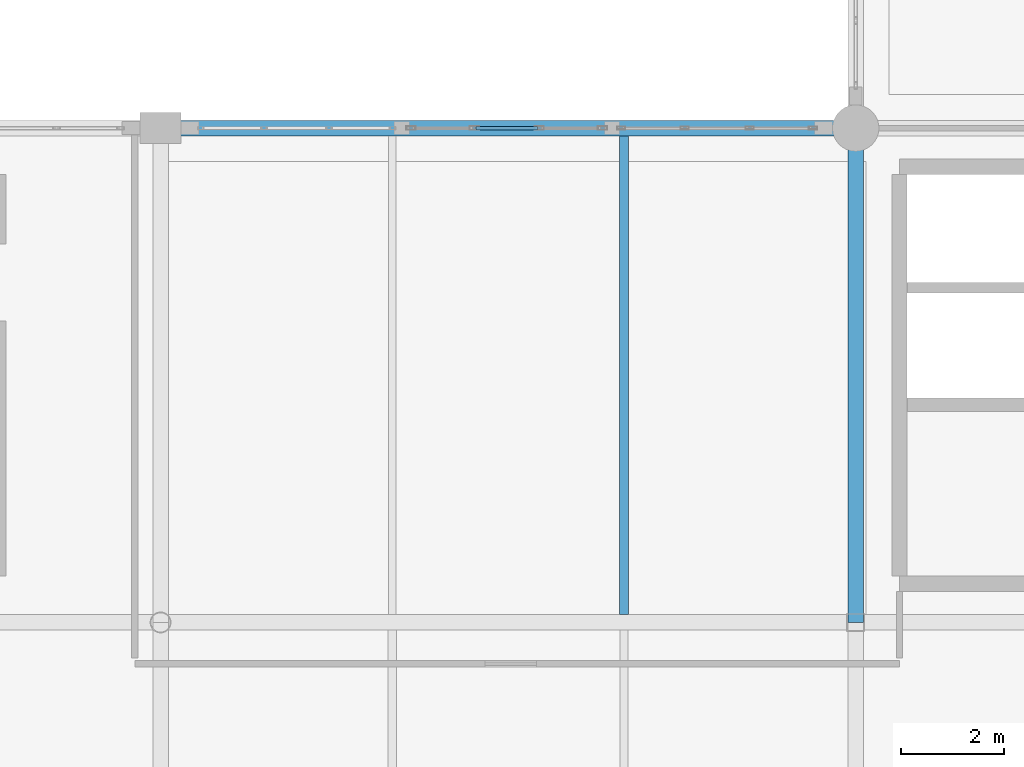
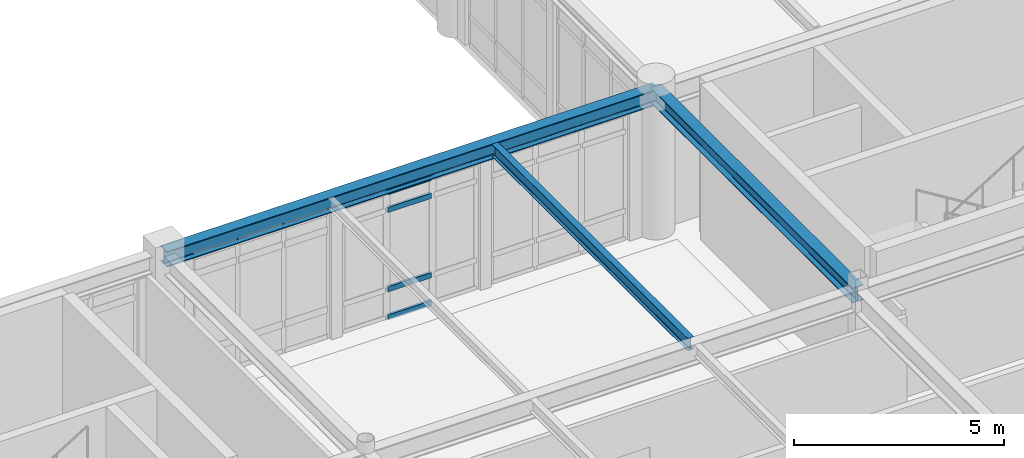
# One storey, part 10 of 61: 4 members, 3 beams, 1 element without a shape of its own.
"""IFC4 building model written with IfcOpenShell, lengths in metres."""

from ifc_helpers import new_model, si_unit, direction, frame, origin, origin_2d, place, context, subcontext, project, spatial, hollow_rectangle, i_section, extrude, material, layer, layer_set, material_profile, profile_set, type_object, element, aggregate, save


model = new_model("IFC4")

# Units and contexts
model_context = context("Model", 3, precision=1e-05, world=origin(), true_north=direction((0.0, 1.0)))
body_context = subcontext(model_context, "Body", "Model", "MODEL_VIEW")
ifc_project = project(units=[si_unit("LENGTHUNIT", "METRE"), si_unit("AREAUNIT", "SQUARE_METRE"), si_unit("VOLUMEUNIT", "CUBIC_METRE"), si_unit("PLANEANGLEUNIT", "RADIAN"), si_unit("MASSUNIT", "GRAM", prefix="KILO")], contexts=[model_context])

# Site, building, storey
site_placement = place(None, origin())
site = spatial("IfcSite", under=ifc_project, at=site_placement, CompositionType="ELEMENT")
building_placement = place(site_placement, origin())
building = spatial("IfcBuilding", under=site, at=building_placement, Name="Fikremerkos Civic Library", CompositionType="ELEMENT")
storey_placement = place(building_placement, frame((0.0, 0.0, 14.39990234375)))
storey = spatial("IfcBuildingStorey", under=building, at=storey_placement, Name="L03", CompositionType="ELEMENT", Elevation=14.39990234375)

# Curtain wall, members
ifc_material_1 = material(Name="Anodized aluminium Frame", Category="aluminium")
ifc_layer = layer(ifc_material_1, 0.159912109375, Name="Anodized aluminium Frame")
ifc_layer_set = layer_set([ifc_layer], Name="Anodized aluminium Frame")
curtain_wall_type = type_object("IfcCurtainWallType", Name="Unitised curtain wall CW-09 3600x3400", PredefinedType="USERDEFINED", material=ifc_layer_set)
curtain_wall_placement = place(storey_placement, origin())
curtain_wall = element("IfcCurtainWall", 1, at=curtain_wall_placement, inside=storey, type_object=curtain_wall_type, Name="Unitised curtain wall CW-09 L03 #189", ObjectType="UNITISED CURTAIN WALL", PredefinedType="USERDEFINED")
ifc_material_profile_1 = material_profile(ifc_material_1, hollow_rectangle(XDim=0.070068359375, YDim=0.14990234375, WallThickness=0.00439453125, at=origin_2d()), Name="ALU 150x70x4.5")
ifc_profile_set_1 = profile_set([ifc_material_profile_1], Name="Anodized aluminium Frame")
member_type = type_object("IfcMemberType", Name="Curtain transom CWT-01 ALU 150x70x4.5", PredefinedType="USERDEFINED", material=ifc_profile_set_1)
member_1_placement = place(storey_placement, frame((38.82666015625, 31.199951171875, 0.03515625), z_axis=(1.0, 0.0, 0.0), x_axis=(0.0, 1.0, 0.0)))
member_1 = element("IfcMember", 2, at=member_1_placement, type_object=member_type, Name="CW-09 transom 2.1", ObjectType="TRANSOM", PredefinedType="USERDEFINED", context=body_context, shape_type="SweptSolid", body=[
    extrude(hollow_rectangle(XDim=0.070068359375, YDim=0.14990234375, WallThickness=0.00439453125, at=origin_2d()), origin(), (0.0, 0.0, 1.0), 1.196533203125),
])
member_2_placement = place(storey_placement, frame((38.82666015625, 31.199951171875, 0.85009765625), z_axis=(1.0, 0.0, 0.0), x_axis=(0.0, 1.0, 0.0)))
member_2 = element("IfcMember", 3, at=member_2_placement, type_object=member_type, Name="CW-09 transom 2.2", ObjectType="TRANSOM", PredefinedType="USERDEFINED", context=body_context, shape_type="SweptSolid", body=[
    extrude(hollow_rectangle(XDim=0.070068359375, YDim=0.14990234375, WallThickness=0.00439453125, at=origin_2d()), origin(), (0.0, 0.0, 1.0), 1.196533203125),
])
member_3_placement = place(storey_placement, frame((38.82666015625, 31.199951171875, 3.150146484375), z_axis=(1.0, 0.0, 0.0), x_axis=(0.0, 1.0, 0.0)))
member_3 = element("IfcMember", 4, at=member_3_placement, type_object=member_type, Name="CW-09 transom 2.3", ObjectType="TRANSOM", PredefinedType="USERDEFINED", context=body_context, shape_type="SweptSolid", body=[
    extrude(hollow_rectangle(XDim=0.070068359375, YDim=0.14990234375, WallThickness=0.00439453125, at=origin_2d()), origin(), (0.0, 0.0, 1.0), 1.196533203125),
])
member_4_placement = place(storey_placement, frame((38.82666015625, 31.199951171875, 3.6650390625), z_axis=(1.0, 0.0, 0.0), x_axis=(0.0, 1.0, 0.0)))
member_4 = element("IfcMember", 5, at=member_4_placement, type_object=member_type, Name="CW-09 transom 2.4", ObjectType="TRANSOM", PredefinedType="USERDEFINED", context=body_context, shape_type="SweptSolid", body=[
    extrude(hollow_rectangle(XDim=0.070068359375, YDim=0.14990234375, WallThickness=0.00439453125, at=origin_2d()), origin(), (0.0, 0.0, 1.0), 1.196533203125),
])
aggregate(curtain_wall, [member_1, member_2, member_3, member_4])

# Beams
ifc_material_2 = material(Name="Steel S355", Category="steel")
ifc_material_profile_2 = material_profile(ifc_material_2, i_section(OverallWidth=0.169921875, OverallDepth=0.360107421875, WebThickness=0.008056640625, FlangeThickness=0.0126953125, FilletRadius=0.01806640625, at=origin_2d()), Name="IPE 360")
ifc_profile_set_2 = profile_set([ifc_material_profile_2], Name="Steel S355")
beam_type_1 = type_object("IfcBeamType", Name="Floor joist JS-09 IPE 360", PredefinedType="JOIST", material=ifc_profile_set_2)
beam_1_placement = place(storey_placement, frame((41.699951171875, 21.75, 3.97998046875), z_axis=(0.0, 1.0, 0.0), x_axis=(-1.0, 0.0, 0.0)))
element("IfcBeam", 6, at=beam_1_placement, inside=storey, type_object=beam_type_1, Name="Floor joist JS-09 L03 #541", PredefinedType="JOIST", context=body_context, shape_type="SweptSolid", body=[
    extrude(i_section(OverallWidth=0.169921875, OverallDepth=0.360107421875, WebThickness=0.008056640625, FlangeThickness=0.0126953125, FilletRadius=0.01806640625, at=origin_2d()), origin(), (0.0, 0.0, 1.0), 9.300048828125),
])
ifc_material_profile_3 = material_profile(ifc_material_2, i_section(OverallWidth=0.300048828125, OverallDepth=0.43994140625, WebThickness=0.011474609375, FlangeThickness=0.02099609375, FilletRadius=0.027099609375, at=origin_2d()), Name="HEA 450")
ifc_profile_set_3 = profile_set([ifc_material_profile_3], Name="Steel S355")
beam_type_2 = type_object("IfcBeamType", Name="Primary girder BM-18 HEA 450", PredefinedType="BEAM", material=ifc_profile_set_3)
beam_2_placement = place(storey_placement, frame((46.199951171875, 21.60009765625, 3.940185546875), z_axis=(0.0, 1.0, 0.0), x_axis=(-1.0, 0.0, 0.0)))
element("IfcBeam", 7, at=beam_2_placement, inside=storey, type_object=beam_type_2, Name="Primary girder BM-18 L03 grid 5", PredefinedType="BEAM", context=body_context, shape_type="SweptSolid", body=[
    extrude(i_section(OverallWidth=0.300048828125, OverallDepth=0.43994140625, WebThickness=0.011474609375, FlangeThickness=0.02099609375, FilletRadius=0.027099609375, at=origin_2d()), origin(), (0.0, 0.0, 1.0), 9.599853515625),
])
ifc_material_profile_4 = material_profile(ifc_material_2, i_section(OverallWidth=0.300048828125, OverallDepth=0.449951171875, WebThickness=0.013916015625, FlangeThickness=0.02587890625, FilletRadius=0.027099609375, at=origin_2d()), Name="HEB 450")
ifc_profile_set_4 = profile_set([ifc_material_profile_4], Name="Steel S355")
beam_type_3 = type_object("IfcBeamType", Name="Primary girder BM-23 HEB 450", PredefinedType="BEAM", material=ifc_profile_set_4)
beam_3_placement = place(storey_placement, frame((32.699951171875, 31.199951171875, 3.93505859375), z_axis=(1.0, 0.0, 0.0), x_axis=(0.0, 1.0, 0.0)))
element("IfcBeam", 8, at=beam_3_placement, inside=storey, type_object=beam_type_3, Name="Primary girder BM-23 L03 grid G", PredefinedType="BEAM", context=body_context, shape_type="SweptSolid", body=[
    extrude(i_section(OverallWidth=0.300048828125, OverallDepth=0.449951171875, WebThickness=0.013916015625, FlangeThickness=0.02587890625, FilletRadius=0.027099609375, at=origin_2d()), origin(), (0.0, 0.0, 1.0), 13.5),
])

save(model, "model.ifc")
